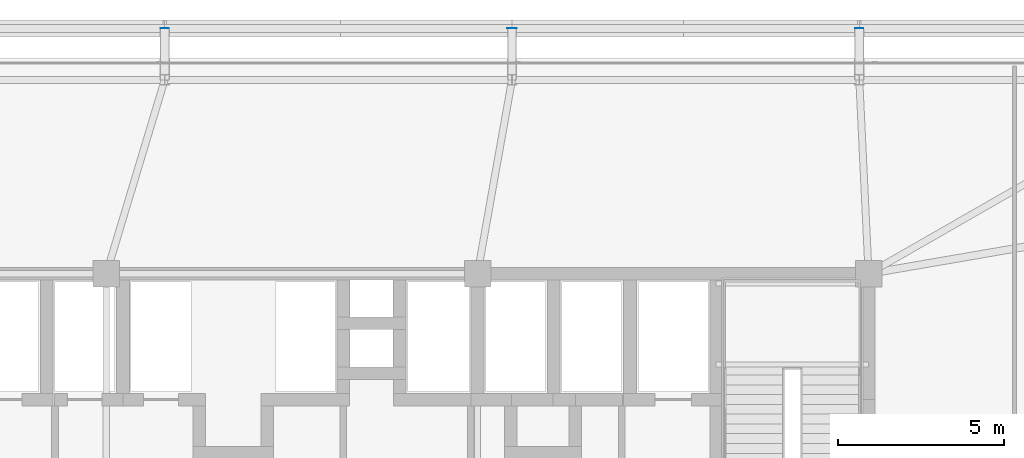
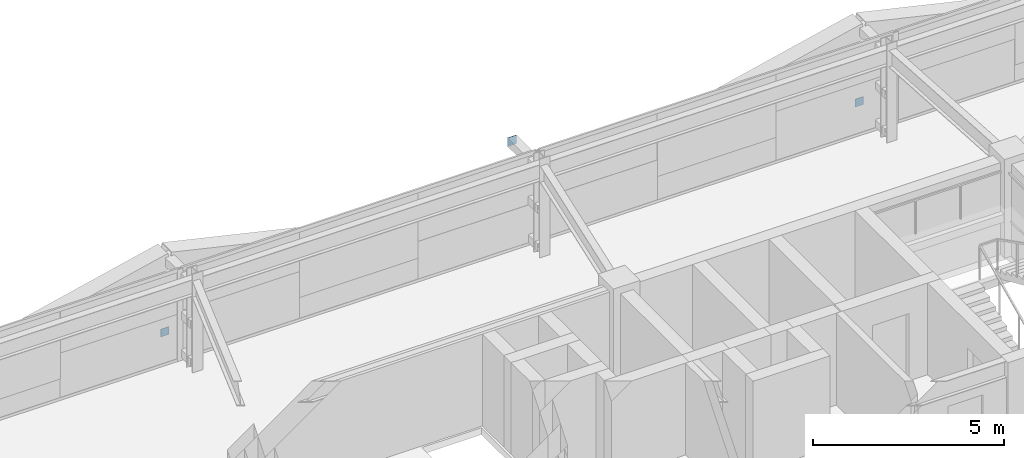
# One storey, part 37 of 44: 3 plates.
"""IFC4 building model written with IfcOpenShell, lengths in metres."""

from ifc_helpers import new_model, si_unit, direction, frame, origin, origin_2d, place, context, subcontext, project, spatial, rectangle, extrude, source, transform, mapped, material, layer, layer_set, type_object, element, save


model = new_model("IFC4")

# Units and contexts
model_context = context("Model", 3, precision=1e-05, world=origin(), true_north=direction((0.0, 1.0)))
body_context = subcontext(model_context, "Body", "Model", "MODEL_VIEW")
ifc_project = project(units=[si_unit("LENGTHUNIT", "METRE"), si_unit("AREAUNIT", "SQUARE_METRE"), si_unit("VOLUMEUNIT", "CUBIC_METRE"), si_unit("PLANEANGLEUNIT", "RADIAN"), si_unit("MASSUNIT", "GRAM", prefix="KILO")], contexts=[model_context])

# Site, building, storey
site_placement = place(None, origin())
site = spatial("IfcSite", under=ifc_project, at=site_placement, CompositionType="ELEMENT")
building_placement = place(site_placement, origin())
building = spatial("IfcBuilding", under=site, at=building_placement, Name="Taldren Reach Tower", CompositionType="ELEMENT")
storey_placement = place(building_placement, frame((0.0, 0.0, 38.85009765625)))
storey = spatial("IfcBuildingStorey", under=building, at=storey_placement, Name="L11", CompositionType="ELEMENT", Elevation=38.85009765625)

# Plates
ifc_material_1 = material(Name="Steel Gr 450 (C450L0)", Category="steel")
ifc_layer_1 = layer(ifc_material_1, 0.011962890625)
ifc_layer_set_1 = layer_set([ifc_layer_1], Name="Steel Gr 450 (C450L0)")
plate_type_1 = type_object("IfcPlateType", Name="PL-CAP-275", PredefinedType="SHEET", material=ifc_layer_set_1)
shared_shape_1 = source(origin(), body_context, "Body", "SweptSolid", [
    extrude(rectangle(XDim=0.27490234375, YDim=0.011962890625, at=origin_2d()), origin(), (0.0, 0.0, 1.0), 0.27490234375),
])
plate_placement = place(storey_placement, frame((40.239990234375, 39.406005859375, 2.512451171875), z_axis=(0.0, 0.0, 1.0), x_axis=(1.0, 0.0, 0.0)))
element("IfcPlate", 1, at=plate_placement, inside=storey, type_object=plate_type_1, Name="Tie strut end cap plate B1-N4 L11", PredefinedType="SHEET", context=body_context, shape_type="MappedRepresentation", body=[
    mapped(shared_shape_1, transform((0.0, 0.0, 0.0), scale=1.0)),
])
ifc_material_2 = material(Name="Steel Gr 350 (C350L0)", Category="steel")
ifc_layer_2 = layer(ifc_material_2, 0.011962890625)
ifc_layer_set_2 = layer_set([ifc_layer_2], Name="Steel Gr 350 (C350L0)")
plate_type_2 = type_object("IfcPlateType", Name="PL-CAP-250", PredefinedType="SHEET", material=ifc_layer_set_2)
shared_shape_2 = source(origin(), body_context, "Body", "SweptSolid", [
    extrude(rectangle(XDim=0.25, YDim=0.011962890625, at=origin_2d()), origin(), (0.0, 0.0, 1.0), 0.25),
])
for number, where, z_axis, x_axis, name in (
    (2, (29.760009765625, 39.406005859375, 0.094970703125), (0.0, 0.0, 1.0), (1.0, 0.0, 0.0), "Tie strut end cap plate B1-N3 L11"),
    (3, (50.719970703125, 39.406005859375, 0.094970703125), (0.0, 0.0, 1.0), (1.0, 0.0, 0.0), "Tie strut end cap plate B1-N5 L11"),
):
    element("IfcPlate", number, at=place(storey_placement, frame(where, z_axis=z_axis, x_axis=x_axis)), inside=storey, type_object=plate_type_2, Name=name, PredefinedType="SHEET", context=body_context, shape_type="MappedRepresentation", body=[
        mapped(shared_shape_2, transform((0.0, 0.0, 0.0), scale=1.0)),
    ])

save(model, "model.ifc")
